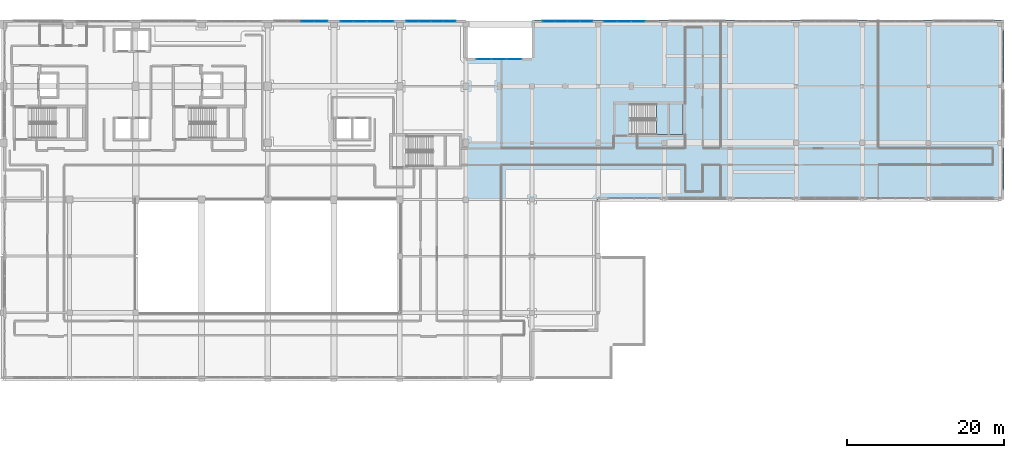
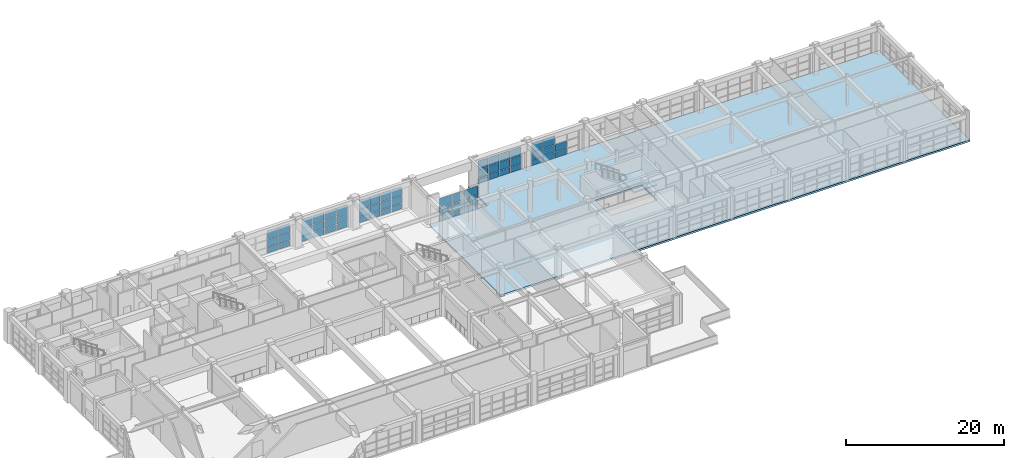
# One storey, part 96 of 123: 59 plates, 2 slabs, 7 elements without a shape of their own.
"""IFC4 building model written with IfcOpenShell, lengths in metres."""

from ifc_helpers import new_model, si_unit, direction, frame, origin, origin_2d, place, context, subcontext, project, spatial, polyline, rectangle, outline, extrude, material, layer, layer_set, type_object, element, aggregate, save


model = new_model("IFC4")

# Units and contexts
model_context = context("Model", 3, precision=1e-05, world=origin(), true_north=direction((0.0, 1.0)))
body_context = subcontext(model_context, "Body", "Model", "MODEL_VIEW")
ifc_project = project(units=[si_unit("LENGTHUNIT", "METRE"), si_unit("AREAUNIT", "SQUARE_METRE"), si_unit("VOLUMEUNIT", "CUBIC_METRE"), si_unit("PLANEANGLEUNIT", "RADIAN"), si_unit("MASSUNIT", "GRAM", prefix="KILO")], contexts=[model_context])

# Site, building, storey
site_placement = place(None, origin())
site = spatial("IfcSite", under=ifc_project, at=site_placement, CompositionType="ELEMENT")
building_placement = place(site_placement, origin())
building = spatial("IfcBuilding", under=site, at=building_placement, Name="Quendrovan Civic Courthouse", CompositionType="ELEMENT")
storey_placement = place(building_placement, frame((0.0, 0.0, 5.39990234375)))
storey = spatial("IfcBuildingStorey", under=building, at=storey_placement, Name="L02", CompositionType="ELEMENT", Elevation=5.39990234375)

# Curtain wall, plates
ifc_material_1 = material(Name="Bronze anodised aluminium and low-E glass", Category="aluminium")
ifc_layer_1 = layer(ifc_material_1, 0.179931640625, Name="Bronze anodised aluminium and low-E glass")
ifc_layer_set_1 = layer_set([ifc_layer_1], Name="Bronze anodised aluminium and low-E glass")
curtain_wall_type_1 = type_object("IfcCurtainWallType", Name="CW-U58x37", PredefinedType="USERDEFINED", material=ifc_layer_set_1)
curtain_wall_1_placement = place(storey_placement, origin())
curtain_wall_1 = element("IfcCurtainWall", 1, at=curtain_wall_1_placement, inside=storey, type_object=curtain_wall_type_1, Name="L02 Unitised Hurricane Curtain Wall CW-088", ObjectType="UNITISED CURTAIN WALL", PredefinedType="USERDEFINED")
ifc_material_2 = material(Name="Laminated hurricane-impact low-E glass", Category="glass")
ifc_layer_2 = layer(ifc_material_2, 0.028076171875, Name="Laminated hurricane-impact low-E glass")
ifc_layer_set_2 = layer_set([ifc_layer_2], Name="Laminated hurricane-impact low-E glass")
plate_type_1 = type_object("IfcPlateType", Name="CW-PNL-1", PredefinedType="CURTAIN_PANEL", material=ifc_layer_set_2)
plate_1_placement = place(storey_placement, frame((94.68408203125, 105.43505859375, 0.0703125), z_axis=(0.0, 0.0, 1.0), x_axis=(1.0, 0.0, 0.0)))
plate_1 = element("IfcPlate", 2, at=plate_1_placement, type_object=plate_type_1, Name="CW-088 panel 1.1", PredefinedType="CURTAIN_PANEL", context=body_context, shape_type="SweptSolid", body=[
    extrude(rectangle(XDim=1.828369140625, YDim=0.028076171875, at=origin_2d()), origin(), (0.0, 0.0, 1.0), 0.844970703125),
])
plate_2_placement = place(storey_placement, frame((94.68408203125, 105.43505859375, 0.985107421875), z_axis=(0.0, 0.0, 1.0), x_axis=(1.0, 0.0, 0.0)))
plate_2 = element("IfcPlate", 3, at=plate_2_placement, type_object=plate_type_1, Name="CW-088 panel 1.2", PredefinedType="CURTAIN_PANEL", context=body_context, shape_type="SweptSolid", body=[
    extrude(rectangle(XDim=1.828369140625, YDim=0.028076171875, at=origin_2d()), origin(), (0.0, 0.0, 1.0), 1.1298828125),
])
plate_3_placement = place(storey_placement, frame((94.68408203125, 105.43505859375, 2.18505859375), z_axis=(0.0, 0.0, 1.0), x_axis=(1.0, 0.0, 0.0)))
plate_3 = element("IfcPlate", 4, at=plate_3_placement, type_object=plate_type_1, Name="CW-088 panel 1.3", PredefinedType="CURTAIN_PANEL", context=body_context, shape_type="SweptSolid", body=[
    extrude(rectangle(XDim=1.828369140625, YDim=0.028076171875, at=origin_2d()), origin(), (0.0, 0.0, 1.0), 1.405029296875),
])
plate_4_placement = place(storey_placement, frame((96.60009765625, 105.43505859375, 0.0703125), z_axis=(0.0, 0.0, 1.0), x_axis=(1.0, 0.0, 0.0)))
plate_4 = element("IfcPlate", 5, at=plate_4_placement, type_object=plate_type_1, Name="CW-088 panel 2.1", PredefinedType="CURTAIN_PANEL", context=body_context, shape_type="SweptSolid", body=[
    extrude(rectangle(XDim=1.86328125, YDim=0.028076171875, at=origin_2d()), origin(), (0.0, 0.0, 1.0), 0.844970703125),
])
plate_5_placement = place(storey_placement, frame((96.60009765625, 105.43505859375, 0.985107421875), z_axis=(0.0, 0.0, 1.0), x_axis=(1.0, 0.0, 0.0)))
plate_5 = element("IfcPlate", 6, at=plate_5_placement, type_object=plate_type_1, Name="CW-088 panel 2.2", PredefinedType="CURTAIN_PANEL", context=body_context, shape_type="SweptSolid", body=[
    extrude(rectangle(XDim=1.86328125, YDim=0.028076171875, at=origin_2d()), origin(), (0.0, 0.0, 1.0), 1.1298828125),
])
plate_6_placement = place(storey_placement, frame((96.60009765625, 105.43505859375, 2.18505859375), z_axis=(0.0, 0.0, 1.0), x_axis=(1.0, 0.0, 0.0)))
plate_6 = element("IfcPlate", 7, at=plate_6_placement, type_object=plate_type_1, Name="CW-088 panel 2.3", PredefinedType="CURTAIN_PANEL", context=body_context, shape_type="SweptSolid", body=[
    extrude(rectangle(XDim=1.86328125, YDim=0.028076171875, at=origin_2d()), origin(), (0.0, 0.0, 1.0), 1.405029296875),
])
plate_7_placement = place(storey_placement, frame((98.515869140625, 105.43505859375, 0.0703125), z_axis=(0.0, 0.0, 1.0), x_axis=(1.0, 0.0, 0.0)))
plate_7 = element("IfcPlate", 8, at=plate_7_placement, type_object=plate_type_1, Name="CW-088 panel 3.1", PredefinedType="CURTAIN_PANEL", context=body_context, shape_type="SweptSolid", body=[
    extrude(rectangle(XDim=1.828369140625, YDim=0.028076171875, at=origin_2d()), origin(), (0.0, 0.0, 1.0), 0.844970703125),
])
plate_8_placement = place(storey_placement, frame((98.515869140625, 105.43505859375, 0.985107421875), z_axis=(0.0, 0.0, 1.0), x_axis=(1.0, 0.0, 0.0)))
plate_8 = element("IfcPlate", 9, at=plate_8_placement, type_object=plate_type_1, Name="CW-088 panel 3.2", PredefinedType="CURTAIN_PANEL", context=body_context, shape_type="SweptSolid", body=[
    extrude(rectangle(XDim=1.828369140625, YDim=0.028076171875, at=origin_2d()), origin(), (0.0, 0.0, 1.0), 1.1298828125),
])
plate_9_placement = place(storey_placement, frame((98.515869140625, 105.43505859375, 2.18505859375), z_axis=(0.0, 0.0, 1.0), x_axis=(1.0, 0.0, 0.0)))
plate_9 = element("IfcPlate", 10, at=plate_9_placement, type_object=plate_type_1, Name="CW-088 panel 3.3", PredefinedType="CURTAIN_PANEL", context=body_context, shape_type="SweptSolid", body=[
    extrude(rectangle(XDim=1.828369140625, YDim=0.028076171875, at=origin_2d()), origin(), (0.0, 0.0, 1.0), 1.405029296875),
])
aggregate(curtain_wall_1, [plate_1, plate_2, plate_3, plate_4, plate_5, plate_6, plate_7, plate_8, plate_9])

ifc_layer_3 = layer(ifc_material_1, 0.179931640625, Name="Bronze anodised aluminium and low-E glass")
ifc_layer_set_3 = layer_set([ifc_layer_3], Name="Bronze anodised aluminium and low-E glass")
curtain_wall_type_2 = type_object("IfcCurtainWallType", Name="CW-U68x36", PredefinedType="USERDEFINED", material=ifc_layer_set_3)
curtain_wall_2_placement = place(storey_placement, origin())
curtain_wall_2 = element("IfcCurtainWall", 11, at=curtain_wall_2_placement, inside=storey, type_object=curtain_wall_type_2, Name="L02 Unitised Hurricane Curtain Wall CW-085", ObjectType="UNITISED CURTAIN WALL", PredefinedType="USERDEFINED")
ifc_layer_4 = layer(ifc_material_2, 0.031982421875, Name="Laminated hurricane-impact low-E glass")
ifc_layer_set_4 = layer_set([ifc_layer_4], Name="Laminated hurricane-impact low-E glass")
plate_type_2 = type_object("IfcPlateType", Name="CW-PNL-2", PredefinedType="CURTAIN_PANEL", material=ifc_layer_set_4)
plate_10_placement = place(storey_placement, frame((72.25927734375, 110.235107421875, 0.065185546875), z_axis=(0.0, 0.0, 1.0), x_axis=(1.0, 0.0, 0.0)))
plate_10 = element("IfcPlate", 12, at=plate_10_placement, type_object=plate_type_2, Name="CW-085 panel 3.1", PredefinedType="CURTAIN_PANEL", context=body_context, shape_type="SweptSolid", body=[
    extrude(rectangle(XDim=1.628662109375, YDim=0.031982421875, at=origin_2d()), origin(), (0.0, 0.0, 1.0), 0.8525390625),
])
plate_11_placement = place(storey_placement, frame((72.25927734375, 110.235107421875, 0.982421875), z_axis=(0.0, 0.0, 1.0), x_axis=(1.0, 0.0, 0.0)))
plate_11 = element("IfcPlate", 13, at=plate_11_placement, type_object=plate_type_2, Name="CW-085 panel 3.2", PredefinedType="CURTAIN_PANEL", context=body_context, shape_type="SweptSolid", body=[
    extrude(rectangle(XDim=1.628662109375, YDim=0.031982421875, at=origin_2d()), origin(), (0.0, 0.0, 1.0), 1.135009765625),
])
plate_12_placement = place(storey_placement, frame((72.25927734375, 110.235107421875, 2.1826171875), z_axis=(0.0, 0.0, 1.0), x_axis=(1.0, 0.0, 0.0)))
plate_12 = element("IfcPlate", 14, at=plate_12_placement, type_object=plate_type_2, Name="CW-085 panel 3.3", PredefinedType="CURTAIN_PANEL", context=body_context, shape_type="SweptSolid", body=[
    extrude(rectangle(XDim=1.628662109375, YDim=0.031982421875, at=origin_2d()), origin(), (0.0, 0.0, 1.0), 1.3525390625),
])
plate_13_placement = place(storey_placement, frame((73.936767578125, 110.235107421875, 0.065185546875), z_axis=(0.0, 0.0, 1.0), x_axis=(1.0, 0.0, 0.0)))
plate_13 = element("IfcPlate", 15, at=plate_13_placement, type_object=plate_type_2, Name="CW-085 panel 4.1", PredefinedType="CURTAIN_PANEL", context=body_context, shape_type="SweptSolid", body=[
    extrude(rectangle(XDim=1.59619140625, YDim=0.031982421875, at=origin_2d()), origin(), (0.0, 0.0, 1.0), 0.8525390625),
])
plate_14_placement = place(storey_placement, frame((73.936767578125, 110.235107421875, 0.982421875), z_axis=(0.0, 0.0, 1.0), x_axis=(1.0, 0.0, 0.0)))
plate_14 = element("IfcPlate", 16, at=plate_14_placement, type_object=plate_type_2, Name="CW-085 panel 4.2", PredefinedType="CURTAIN_PANEL", context=body_context, shape_type="SweptSolid", body=[
    extrude(rectangle(XDim=1.59619140625, YDim=0.031982421875, at=origin_2d()), origin(), (0.0, 0.0, 1.0), 1.135009765625),
])
plate_15_placement = place(storey_placement, frame((73.936767578125, 110.235107421875, 2.1826171875), z_axis=(0.0, 0.0, 1.0), x_axis=(1.0, 0.0, 0.0)))
plate_15 = element("IfcPlate", 17, at=plate_15_placement, type_object=plate_type_2, Name="CW-085 panel 4.3", PredefinedType="CURTAIN_PANEL", context=body_context, shape_type="SweptSolid", body=[
    extrude(rectangle(XDim=1.59619140625, YDim=0.031982421875, at=origin_2d()), origin(), (0.0, 0.0, 1.0), 1.3525390625),
])
aggregate(curtain_wall_2, [plate_10, plate_11, plate_12, plate_13, plate_14, plate_15])

ifc_layer_5 = layer(ifc_material_1, 0.179931640625, Name="Bronze anodised aluminium and low-E glass")
ifc_layer_set_5 = layer_set([ifc_layer_5], Name="Bronze anodised aluminium and low-E glass")
curtain_wall_type_3 = type_object("IfcCurtainWallType", Name="CW-U64x36", PredefinedType="USERDEFINED", material=ifc_layer_set_5)
curtain_wall_3_placement = place(storey_placement, origin())
curtain_wall_3 = element("IfcCurtainWall", 18, at=curtain_wall_3_placement, inside=storey, type_object=curtain_wall_type_3, Name="L02 Unitised Hurricane Curtain Wall CW-089", ObjectType="UNITISED CURTAIN WALL", PredefinedType="USERDEFINED")
plate_16_placement = place(storey_placement, frame((102.916259765625, 110.235107421875, 0.065185546875), z_axis=(0.0, 0.0, 1.0), x_axis=(1.0, 0.0, 0.0)))
plate_16 = element("IfcPlate", 19, at=plate_16_placement, type_object=plate_type_2, Name="CW-089 panel 1.1", PredefinedType="CURTAIN_PANEL", context=body_context, shape_type="SweptSolid", body=[
    extrude(rectangle(XDim=1.50244140625, YDim=0.031982421875, at=origin_2d()), origin(), (0.0, 0.0, 1.0), 0.8525390625),
])
plate_17_placement = place(storey_placement, frame((102.916259765625, 110.235107421875, 0.982421875), z_axis=(0.0, 0.0, 1.0), x_axis=(1.0, 0.0, 0.0)))
plate_17 = element("IfcPlate", 20, at=plate_17_placement, type_object=plate_type_2, Name="CW-089 panel 1.2", PredefinedType="CURTAIN_PANEL", context=body_context, shape_type="SweptSolid", body=[
    extrude(rectangle(XDim=1.50244140625, YDim=0.031982421875, at=origin_2d()), origin(), (0.0, 0.0, 1.0), 1.135009765625),
])
plate_18_placement = place(storey_placement, frame((102.916259765625, 110.235107421875, 2.1826171875), z_axis=(0.0, 0.0, 1.0), x_axis=(1.0, 0.0, 0.0)))
plate_18 = element("IfcPlate", 21, at=plate_18_placement, type_object=plate_type_2, Name="CW-089 panel 1.3", PredefinedType="CURTAIN_PANEL", context=body_context, shape_type="SweptSolid", body=[
    extrude(rectangle(XDim=1.50244140625, YDim=0.031982421875, at=origin_2d()), origin(), (0.0, 0.0, 1.0), 1.3525390625),
])
plate_19_placement = place(storey_placement, frame((104.5, 110.235107421875, 0.065185546875), z_axis=(0.0, 0.0, 1.0), x_axis=(1.0, 0.0, 0.0)))
plate_19 = element("IfcPlate", 22, at=plate_19_placement, type_object=plate_type_2, Name="CW-089 panel 2.1", PredefinedType="CURTAIN_PANEL", context=body_context, shape_type="SweptSolid", body=[
    extrude(rectangle(XDim=1.534912109375, YDim=0.031982421875, at=origin_2d()), origin(), (0.0, 0.0, 1.0), 0.8525390625),
])
plate_20_placement = place(storey_placement, frame((104.5, 110.235107421875, 0.982421875), z_axis=(0.0, 0.0, 1.0), x_axis=(1.0, 0.0, 0.0)))
plate_20 = element("IfcPlate", 23, at=plate_20_placement, type_object=plate_type_2, Name="CW-089 panel 2.2", PredefinedType="CURTAIN_PANEL", context=body_context, shape_type="SweptSolid", body=[
    extrude(rectangle(XDim=1.534912109375, YDim=0.031982421875, at=origin_2d()), origin(), (0.0, 0.0, 1.0), 1.135009765625),
])
plate_21_placement = place(storey_placement, frame((104.5, 110.235107421875, 2.1826171875), z_axis=(0.0, 0.0, 1.0), x_axis=(1.0, 0.0, 0.0)))
plate_21 = element("IfcPlate", 24, at=plate_21_placement, type_object=plate_type_2, Name="CW-089 panel 2.3", PredefinedType="CURTAIN_PANEL", context=body_context, shape_type="SweptSolid", body=[
    extrude(rectangle(XDim=1.534912109375, YDim=0.031982421875, at=origin_2d()), origin(), (0.0, 0.0, 1.0), 1.3525390625),
])
plate_22_placement = place(storey_placement, frame((106.10009765625, 110.235107421875, 0.065185546875), z_axis=(0.0, 0.0, 1.0), x_axis=(1.0, 0.0, 0.0)))
plate_22 = element("IfcPlate", 25, at=plate_22_placement, type_object=plate_type_2, Name="CW-089 panel 3.1", PredefinedType="CURTAIN_PANEL", context=body_context, shape_type="SweptSolid", body=[
    extrude(rectangle(XDim=1.534912109375, YDim=0.031982421875, at=origin_2d()), origin(), (0.0, 0.0, 1.0), 0.8525390625),
])
plate_23_placement = place(storey_placement, frame((106.10009765625, 110.235107421875, 0.982421875), z_axis=(0.0, 0.0, 1.0), x_axis=(1.0, 0.0, 0.0)))
plate_23 = element("IfcPlate", 26, at=plate_23_placement, type_object=plate_type_2, Name="CW-089 panel 3.2", PredefinedType="CURTAIN_PANEL", context=body_context, shape_type="SweptSolid", body=[
    extrude(rectangle(XDim=1.534912109375, YDim=0.031982421875, at=origin_2d()), origin(), (0.0, 0.0, 1.0), 1.135009765625),
])
plate_24_placement = place(storey_placement, frame((106.10009765625, 110.235107421875, 2.1826171875), z_axis=(0.0, 0.0, 1.0), x_axis=(1.0, 0.0, 0.0)))
plate_24 = element("IfcPlate", 27, at=plate_24_placement, type_object=plate_type_2, Name="CW-089 panel 3.3", PredefinedType="CURTAIN_PANEL", context=body_context, shape_type="SweptSolid", body=[
    extrude(rectangle(XDim=1.534912109375, YDim=0.031982421875, at=origin_2d()), origin(), (0.0, 0.0, 1.0), 1.3525390625),
])
plate_25_placement = place(storey_placement, frame((107.683837890625, 110.235107421875, 0.065185546875), z_axis=(0.0, 0.0, 1.0), x_axis=(1.0, 0.0, 0.0)))
plate_25 = element("IfcPlate", 28, at=plate_25_placement, type_object=plate_type_2, Name="CW-089 panel 4.1", PredefinedType="CURTAIN_PANEL", context=body_context, shape_type="SweptSolid", body=[
    extrude(rectangle(XDim=1.50244140625, YDim=0.031982421875, at=origin_2d()), origin(), (0.0, 0.0, 1.0), 0.8525390625),
])
plate_26_placement = place(storey_placement, frame((107.683837890625, 110.235107421875, 0.982421875), z_axis=(0.0, 0.0, 1.0), x_axis=(1.0, 0.0, 0.0)))
plate_26 = element("IfcPlate", 29, at=plate_26_placement, type_object=plate_type_2, Name="CW-089 panel 4.2", PredefinedType="CURTAIN_PANEL", context=body_context, shape_type="SweptSolid", body=[
    extrude(rectangle(XDim=1.50244140625, YDim=0.031982421875, at=origin_2d()), origin(), (0.0, 0.0, 1.0), 1.135009765625),
])
plate_27_placement = place(storey_placement, frame((107.683837890625, 110.235107421875, 2.1826171875), z_axis=(0.0, 0.0, 1.0), x_axis=(1.0, 0.0, 0.0)))
plate_27 = element("IfcPlate", 30, at=plate_27_placement, type_object=plate_type_2, Name="CW-089 panel 4.3", PredefinedType="CURTAIN_PANEL", context=body_context, shape_type="SweptSolid", body=[
    extrude(rectangle(XDim=1.50244140625, YDim=0.031982421875, at=origin_2d()), origin(), (0.0, 0.0, 1.0), 1.3525390625),
])
aggregate(curtain_wall_3, [plate_16, plate_17, plate_18, plate_19, plate_20, plate_21, plate_22, plate_23, plate_24, plate_25, plate_26, plate_27])

curtain_wall_4_placement = place(storey_placement, origin())
curtain_wall_4 = element("IfcCurtainWall", 31, at=curtain_wall_4_placement, inside=storey, type_object=curtain_wall_type_2, Name="L02 Unitised Hurricane Curtain Wall CW-086", ObjectType="UNITISED CURTAIN WALL", PredefinedType="USERDEFINED")
ifc_layer_6 = layer(ifc_material_2, 0.035888671875, Name="Laminated hurricane-impact low-E glass")
ifc_layer_set_6 = layer_set([ifc_layer_6], Name="Laminated hurricane-impact low-E glass")
plate_type_3 = type_object("IfcPlateType", Name="CW-PNL-3", PredefinedType="CURTAIN_PANEL", material=ifc_layer_set_6)
plate_28_placement = place(storey_placement, frame((77.267578125, 110.235107421875, 0.0703125), z_axis=(0.0, 0.0, 1.0), x_axis=(1.0, 0.0, 0.0)))
plate_28 = element("IfcPlate", 32, at=plate_28_placement, type_object=plate_type_3, Name="CW-086 panel 1.1", PredefinedType="CURTAIN_PANEL", context=body_context, shape_type="SweptSolid", body=[
    extrude(rectangle(XDim=1.594970703125, YDim=0.035888671875, at=origin_2d()), origin(), (0.0, 0.0, 1.0), 0.844970703125),
])
plate_29_placement = place(storey_placement, frame((77.267578125, 110.235107421875, 0.985107421875), z_axis=(0.0, 0.0, 1.0), x_axis=(1.0, 0.0, 0.0)))
plate_29 = element("IfcPlate", 33, at=plate_29_placement, type_object=plate_type_3, Name="CW-086 panel 1.2", PredefinedType="CURTAIN_PANEL", context=body_context, shape_type="SweptSolid", body=[
    extrude(rectangle(XDim=1.594970703125, YDim=0.035888671875, at=origin_2d()), origin(), (0.0, 0.0, 1.0), 1.1298828125),
])
plate_30_placement = place(storey_placement, frame((77.267578125, 110.235107421875, 2.18505859375), z_axis=(0.0, 0.0, 1.0), x_axis=(1.0, 0.0, 0.0)))
plate_30 = element("IfcPlate", 34, at=plate_30_placement, type_object=plate_type_3, Name="CW-086 panel 1.3", PredefinedType="CURTAIN_PANEL", context=body_context, shape_type="SweptSolid", body=[
    extrude(rectangle(XDim=1.594970703125, YDim=0.035888671875, at=origin_2d()), origin(), (0.0, 0.0, 1.0), 1.344970703125),
])
plate_31_placement = place(storey_placement, frame((78.949951171875, 110.235107421875, 0.0703125), z_axis=(0.0, 0.0, 1.0), x_axis=(1.0, 0.0, 0.0)))
plate_31 = element("IfcPlate", 35, at=plate_31_placement, type_object=plate_type_3, Name="CW-086 panel 2.1", PredefinedType="CURTAIN_PANEL", context=body_context, shape_type="SweptSolid", body=[
    extrude(rectangle(XDim=1.6298828125, YDim=0.035888671875, at=origin_2d()), origin(), (0.0, 0.0, 1.0), 0.844970703125),
])
plate_32_placement = place(storey_placement, frame((78.949951171875, 110.235107421875, 0.985107421875), z_axis=(0.0, 0.0, 1.0), x_axis=(1.0, 0.0, 0.0)))
plate_32 = element("IfcPlate", 36, at=plate_32_placement, type_object=plate_type_3, Name="CW-086 panel 2.2", PredefinedType="CURTAIN_PANEL", context=body_context, shape_type="SweptSolid", body=[
    extrude(rectangle(XDim=1.6298828125, YDim=0.035888671875, at=origin_2d()), origin(), (0.0, 0.0, 1.0), 1.1298828125),
])
plate_33_placement = place(storey_placement, frame((78.949951171875, 110.235107421875, 2.18505859375), z_axis=(0.0, 0.0, 1.0), x_axis=(1.0, 0.0, 0.0)))
plate_33 = element("IfcPlate", 37, at=plate_33_placement, type_object=plate_type_3, Name="CW-086 panel 2.3", PredefinedType="CURTAIN_PANEL", context=body_context, shape_type="SweptSolid", body=[
    extrude(rectangle(XDim=1.6298828125, YDim=0.035888671875, at=origin_2d()), origin(), (0.0, 0.0, 1.0), 1.344970703125),
])
plate_34_placement = place(storey_placement, frame((80.64990234375, 110.235107421875, 0.0703125), z_axis=(0.0, 0.0, 1.0), x_axis=(1.0, 0.0, 0.0)))
plate_34 = element("IfcPlate", 38, at=plate_34_placement, type_object=plate_type_3, Name="CW-086 panel 3.1", PredefinedType="CURTAIN_PANEL", context=body_context, shape_type="SweptSolid", body=[
    extrude(rectangle(XDim=1.6298828125, YDim=0.035888671875, at=origin_2d()), origin(), (0.0, 0.0, 1.0), 0.844970703125),
])
plate_35_placement = place(storey_placement, frame((80.64990234375, 110.235107421875, 0.985107421875), z_axis=(0.0, 0.0, 1.0), x_axis=(1.0, 0.0, 0.0)))
plate_35 = element("IfcPlate", 39, at=plate_35_placement, type_object=plate_type_3, Name="CW-086 panel 3.2", PredefinedType="CURTAIN_PANEL", context=body_context, shape_type="SweptSolid", body=[
    extrude(rectangle(XDim=1.6298828125, YDim=0.035888671875, at=origin_2d()), origin(), (0.0, 0.0, 1.0), 1.1298828125),
])
plate_36_placement = place(storey_placement, frame((80.64990234375, 110.235107421875, 2.18505859375), z_axis=(0.0, 0.0, 1.0), x_axis=(1.0, 0.0, 0.0)))
plate_36 = element("IfcPlate", 40, at=plate_36_placement, type_object=plate_type_3, Name="CW-086 panel 3.3", PredefinedType="CURTAIN_PANEL", context=body_context, shape_type="SweptSolid", body=[
    extrude(rectangle(XDim=1.6298828125, YDim=0.035888671875, at=origin_2d()), origin(), (0.0, 0.0, 1.0), 1.344970703125),
])
plate_37_placement = place(storey_placement, frame((82.33251953125, 110.235107421875, 0.0703125), z_axis=(0.0, 0.0, 1.0), x_axis=(1.0, 0.0, 0.0)))
plate_37 = element("IfcPlate", 41, at=plate_37_placement, type_object=plate_type_3, Name="CW-086 panel 4.1", PredefinedType="CURTAIN_PANEL", context=body_context, shape_type="SweptSolid", body=[
    extrude(rectangle(XDim=1.594970703125, YDim=0.035888671875, at=origin_2d()), origin(), (0.0, 0.0, 1.0), 0.844970703125),
])
plate_38_placement = place(storey_placement, frame((82.33251953125, 110.235107421875, 0.985107421875), z_axis=(0.0, 0.0, 1.0), x_axis=(1.0, 0.0, 0.0)))
plate_38 = element("IfcPlate", 42, at=plate_38_placement, type_object=plate_type_3, Name="CW-086 panel 4.2", PredefinedType="CURTAIN_PANEL", context=body_context, shape_type="SweptSolid", body=[
    extrude(rectangle(XDim=1.594970703125, YDim=0.035888671875, at=origin_2d()), origin(), (0.0, 0.0, 1.0), 1.1298828125),
])
plate_39_placement = place(storey_placement, frame((82.33251953125, 110.235107421875, 2.18505859375), z_axis=(0.0, 0.0, 1.0), x_axis=(1.0, 0.0, 0.0)))
plate_39 = element("IfcPlate", 43, at=plate_39_placement, type_object=plate_type_3, Name="CW-086 panel 4.3", PredefinedType="CURTAIN_PANEL", context=body_context, shape_type="SweptSolid", body=[
    extrude(rectangle(XDim=1.594970703125, YDim=0.035888671875, at=origin_2d()), origin(), (0.0, 0.0, 1.0), 1.344970703125),
])
aggregate(curtain_wall_4, [plate_28, plate_29, plate_30, plate_31, plate_32, plate_33, plate_34, plate_35, plate_36, plate_37, plate_38, plate_39])

ifc_layer_7 = layer(ifc_material_1, 0.179931640625, Name="Bronze anodised aluminium and low-E glass")
ifc_layer_set_7 = layer_set([ifc_layer_7], Name="Bronze anodised aluminium and low-E glass")
curtain_wall_type_4 = type_object("IfcCurtainWallType", Name="CW-U70x36", PredefinedType="USERDEFINED", material=ifc_layer_set_7)
curtain_wall_5_placement = place(storey_placement, origin())
curtain_wall_5 = element("IfcCurtainWall", 44, at=curtain_wall_5_placement, inside=storey, type_object=curtain_wall_type_4, Name="L02 Unitised Hurricane Curtain Wall CW-090", ObjectType="UNITISED CURTAIN WALL", PredefinedType="USERDEFINED")
plate_40_placement = place(storey_placement, frame((110.79248046875, 110.235107421875, 0.0703125), z_axis=(0.0, 0.0, 1.0), x_axis=(1.0, 0.0, 0.0)))
plate_40 = element("IfcPlate", 45, at=plate_40_placement, type_object=plate_type_3, Name="CW-090 panel 1.1", PredefinedType="CURTAIN_PANEL", context=body_context, shape_type="SweptSolid", body=[
    extrude(rectangle(XDim=1.64501953125, YDim=0.035888671875, at=origin_2d()), origin(), (0.0, 0.0, 1.0), 0.844970703125),
])
plate_41_placement = place(storey_placement, frame((110.79248046875, 110.235107421875, 0.985107421875), z_axis=(0.0, 0.0, 1.0), x_axis=(1.0, 0.0, 0.0)))
plate_41 = element("IfcPlate", 46, at=plate_41_placement, type_object=plate_type_3, Name="CW-090 panel 1.2", PredefinedType="CURTAIN_PANEL", context=body_context, shape_type="SweptSolid", body=[
    extrude(rectangle(XDim=1.64501953125, YDim=0.035888671875, at=origin_2d()), origin(), (0.0, 0.0, 1.0), 1.1298828125),
])
plate_42_placement = place(storey_placement, frame((110.79248046875, 110.235107421875, 2.18505859375), z_axis=(0.0, 0.0, 1.0), x_axis=(1.0, 0.0, 0.0)))
plate_42 = element("IfcPlate", 47, at=plate_42_placement, type_object=plate_type_3, Name="CW-090 panel 1.3", PredefinedType="CURTAIN_PANEL", context=body_context, shape_type="SweptSolid", body=[
    extrude(rectangle(XDim=1.64501953125, YDim=0.035888671875, at=origin_2d()), origin(), (0.0, 0.0, 1.0), 1.344970703125),
])
plate_43_placement = place(storey_placement, frame((112.52490234375, 110.235107421875, 0.0703125), z_axis=(0.0, 0.0, 1.0), x_axis=(1.0, 0.0, 0.0)))
plate_43 = element("IfcPlate", 48, at=plate_43_placement, type_object=plate_type_3, Name="CW-090 panel 2.1", PredefinedType="CURTAIN_PANEL", context=body_context, shape_type="SweptSolid", body=[
    extrude(rectangle(XDim=1.679931640625, YDim=0.035888671875, at=origin_2d()), origin(), (0.0, 0.0, 1.0), 0.844970703125),
])
plate_44_placement = place(storey_placement, frame((112.52490234375, 110.235107421875, 0.985107421875), z_axis=(0.0, 0.0, 1.0), x_axis=(1.0, 0.0, 0.0)))
plate_44 = element("IfcPlate", 49, at=plate_44_placement, type_object=plate_type_3, Name="CW-090 panel 2.2", PredefinedType="CURTAIN_PANEL", context=body_context, shape_type="SweptSolid", body=[
    extrude(rectangle(XDim=1.679931640625, YDim=0.035888671875, at=origin_2d()), origin(), (0.0, 0.0, 1.0), 1.1298828125),
])
plate_45_placement = place(storey_placement, frame((112.52490234375, 110.235107421875, 2.18505859375), z_axis=(0.0, 0.0, 1.0), x_axis=(1.0, 0.0, 0.0)))
plate_45 = element("IfcPlate", 50, at=plate_45_placement, type_object=plate_type_3, Name="CW-090 panel 2.3", PredefinedType="CURTAIN_PANEL", context=body_context, shape_type="SweptSolid", body=[
    extrude(rectangle(XDim=1.679931640625, YDim=0.035888671875, at=origin_2d()), origin(), (0.0, 0.0, 1.0), 1.344970703125),
])
plate_46_placement = place(storey_placement, frame((114.27490234375, 110.235107421875, 0.0703125), z_axis=(0.0, 0.0, 1.0), x_axis=(1.0, 0.0, 0.0)))
plate_46 = element("IfcPlate", 51, at=plate_46_placement, type_object=plate_type_3, Name="CW-090 panel 3.1", PredefinedType="CURTAIN_PANEL", context=body_context, shape_type="SweptSolid", body=[
    extrude(rectangle(XDim=1.679931640625, YDim=0.035888671875, at=origin_2d()), origin(), (0.0, 0.0, 1.0), 0.844970703125),
])
plate_47_placement = place(storey_placement, frame((114.27490234375, 110.235107421875, 0.985107421875), z_axis=(0.0, 0.0, 1.0), x_axis=(1.0, 0.0, 0.0)))
plate_47 = element("IfcPlate", 52, at=plate_47_placement, type_object=plate_type_3, Name="CW-090 panel 3.2", PredefinedType="CURTAIN_PANEL", context=body_context, shape_type="SweptSolid", body=[
    extrude(rectangle(XDim=1.679931640625, YDim=0.035888671875, at=origin_2d()), origin(), (0.0, 0.0, 1.0), 1.1298828125),
])
aggregate(curtain_wall_5, [plate_40, plate_41, plate_42, plate_43, plate_44, plate_45, plate_46, plate_47])

ifc_layer_8 = layer(ifc_material_1, 0.179931640625, Name="Bronze anodised aluminium and low-E glass")
ifc_layer_set_8 = layer_set([ifc_layer_8], Name="Bronze anodised aluminium and low-E glass")
curtain_wall_type_5 = type_object("IfcCurtainWallType", Name="CW-U63x36", PredefinedType="USERDEFINED", material=ifc_layer_set_8)
curtain_wall_6_placement = place(storey_placement, origin())
curtain_wall_6 = element("IfcCurtainWall", 53, at=curtain_wall_6_placement, inside=storey, type_object=curtain_wall_type_5, Name="L02 Unitised Hurricane Curtain Wall CW-087", ObjectType="UNITISED CURTAIN WALL", PredefinedType="USERDEFINED")
ifc_layer_9 = layer(ifc_material_2, 0.0419921875, Name="Laminated hurricane-impact low-E glass")
ifc_layer_set_9 = layer_set([ifc_layer_9], Name="Laminated hurricane-impact low-E glass")
plate_type_4 = type_object("IfcPlateType", Name="CW-PNL-4", PredefinedType="CURTAIN_PANEL", material=ifc_layer_set_9)
plate_48_placement = place(storey_placement, frame((85.603759765625, 110.235107421875, 0.065185546875), z_axis=(0.0, 0.0, 1.0), x_axis=(1.0, 0.0, 0.0)))
plate_48 = element("IfcPlate", 54, at=plate_48_placement, type_object=plate_type_4, Name="CW-087 panel 1.1", PredefinedType="CURTAIN_PANEL", context=body_context, shape_type="SweptSolid", body=[
    extrude(rectangle(XDim=1.4775390625, YDim=0.0419921875, at=origin_2d()), origin(), (0.0, 0.0, 1.0), 0.8525390625),
])
plate_49_placement = place(storey_placement, frame((85.603759765625, 110.235107421875, 0.982421875), z_axis=(0.0, 0.0, 1.0), x_axis=(1.0, 0.0, 0.0)))
plate_49 = element("IfcPlate", 55, at=plate_49_placement, type_object=plate_type_4, Name="CW-087 panel 1.2", PredefinedType="CURTAIN_PANEL", context=body_context, shape_type="SweptSolid", body=[
    extrude(rectangle(XDim=1.4775390625, YDim=0.0419921875, at=origin_2d()), origin(), (0.0, 0.0, 1.0), 1.135009765625),
])
plate_50_placement = place(storey_placement, frame((85.603759765625, 110.235107421875, 2.1826171875), z_axis=(0.0, 0.0, 1.0), x_axis=(1.0, 0.0, 0.0)))
plate_50 = element("IfcPlate", 56, at=plate_50_placement, type_object=plate_type_4, Name="CW-087 panel 1.3", PredefinedType="CURTAIN_PANEL", context=body_context, shape_type="SweptSolid", body=[
    extrude(rectangle(XDim=1.4775390625, YDim=0.0419921875, at=origin_2d()), origin(), (0.0, 0.0, 1.0), 1.3525390625),
])
plate_51_placement = place(storey_placement, frame((87.16259765625, 110.235107421875, 0.065185546875), z_axis=(0.0, 0.0, 1.0), x_axis=(1.0, 0.0, 0.0)))
plate_51 = element("IfcPlate", 57, at=plate_51_placement, type_object=plate_type_4, Name="CW-087 panel 2.1", PredefinedType="CURTAIN_PANEL", context=body_context, shape_type="SweptSolid", body=[
    extrude(rectangle(XDim=1.510009765625, YDim=0.0419921875, at=origin_2d()), origin(), (0.0, 0.0, 1.0), 0.8525390625),
])
plate_52_placement = place(storey_placement, frame((87.16259765625, 110.235107421875, 0.982421875), z_axis=(0.0, 0.0, 1.0), x_axis=(1.0, 0.0, 0.0)))
plate_52 = element("IfcPlate", 58, at=plate_52_placement, type_object=plate_type_4, Name="CW-087 panel 2.2", PredefinedType="CURTAIN_PANEL", context=body_context, shape_type="SweptSolid", body=[
    extrude(rectangle(XDim=1.510009765625, YDim=0.0419921875, at=origin_2d()), origin(), (0.0, 0.0, 1.0), 1.135009765625),
])
plate_53_placement = place(storey_placement, frame((87.16259765625, 110.235107421875, 2.1826171875), z_axis=(0.0, 0.0, 1.0), x_axis=(1.0, 0.0, 0.0)))
plate_53 = element("IfcPlate", 59, at=plate_53_placement, type_object=plate_type_4, Name="CW-087 panel 2.3", PredefinedType="CURTAIN_PANEL", context=body_context, shape_type="SweptSolid", body=[
    extrude(rectangle(XDim=1.510009765625, YDim=0.0419921875, at=origin_2d()), origin(), (0.0, 0.0, 1.0), 1.3525390625),
])
plate_54_placement = place(storey_placement, frame((88.737548828125, 110.235107421875, 0.065185546875), z_axis=(0.0, 0.0, 1.0), x_axis=(1.0, 0.0, 0.0)))
plate_54 = element("IfcPlate", 60, at=plate_54_placement, type_object=plate_type_4, Name="CW-087 panel 3.1", PredefinedType="CURTAIN_PANEL", context=body_context, shape_type="SweptSolid", body=[
    extrude(rectangle(XDim=1.510009765625, YDim=0.0419921875, at=origin_2d()), origin(), (0.0, 0.0, 1.0), 0.8525390625),
])
plate_55_placement = place(storey_placement, frame((88.737548828125, 110.235107421875, 0.982421875), z_axis=(0.0, 0.0, 1.0), x_axis=(1.0, 0.0, 0.0)))
plate_55 = element("IfcPlate", 61, at=plate_55_placement, type_object=plate_type_4, Name="CW-087 panel 3.2", PredefinedType="CURTAIN_PANEL", context=body_context, shape_type="SweptSolid", body=[
    extrude(rectangle(XDim=1.510009765625, YDim=0.0419921875, at=origin_2d()), origin(), (0.0, 0.0, 1.0), 1.135009765625),
])
plate_56_placement = place(storey_placement, frame((88.737548828125, 110.235107421875, 2.1826171875), z_axis=(0.0, 0.0, 1.0), x_axis=(1.0, 0.0, 0.0)))
plate_56 = element("IfcPlate", 62, at=plate_56_placement, type_object=plate_type_4, Name="CW-087 panel 3.3", PredefinedType="CURTAIN_PANEL", context=body_context, shape_type="SweptSolid", body=[
    extrude(rectangle(XDim=1.510009765625, YDim=0.0419921875, at=origin_2d()), origin(), (0.0, 0.0, 1.0), 1.3525390625),
])
plate_57_placement = place(storey_placement, frame((90.296142578125, 110.235107421875, 0.065185546875), z_axis=(0.0, 0.0, 1.0), x_axis=(1.0, 0.0, 0.0)))
plate_57 = element("IfcPlate", 63, at=plate_57_placement, type_object=plate_type_4, Name="CW-087 panel 4.1", PredefinedType="CURTAIN_PANEL", context=body_context, shape_type="SweptSolid", body=[
    extrude(rectangle(XDim=1.4775390625, YDim=0.0419921875, at=origin_2d()), origin(), (0.0, 0.0, 1.0), 0.8525390625),
])
plate_58_placement = place(storey_placement, frame((90.296142578125, 110.235107421875, 0.982421875), z_axis=(0.0, 0.0, 1.0), x_axis=(1.0, 0.0, 0.0)))
plate_58 = element("IfcPlate", 64, at=plate_58_placement, type_object=plate_type_4, Name="CW-087 panel 4.2", PredefinedType="CURTAIN_PANEL", context=body_context, shape_type="SweptSolid", body=[
    extrude(rectangle(XDim=1.4775390625, YDim=0.0419921875, at=origin_2d()), origin(), (0.0, 0.0, 1.0), 1.135009765625),
])
plate_59_placement = place(storey_placement, frame((90.296142578125, 110.235107421875, 2.1826171875), z_axis=(0.0, 0.0, 1.0), x_axis=(1.0, 0.0, 0.0)))
plate_59 = element("IfcPlate", 65, at=plate_59_placement, type_object=plate_type_4, Name="CW-087 panel 4.3", PredefinedType="CURTAIN_PANEL", context=body_context, shape_type="SweptSolid", body=[
    extrude(rectangle(XDim=1.4775390625, YDim=0.0419921875, at=origin_2d()), origin(), (0.0, 0.0, 1.0), 1.3525390625),
])
aggregate(curtain_wall_6, [plate_48, plate_49, plate_50, plate_51, plate_52, plate_53, plate_54, plate_55, plate_56, plate_57, plate_58, plate_59])

# Slab
ifc_material_3 = material(Name="Post-tensioned concrete C50/60", Category="concrete")
ifc_layer_10 = layer(ifc_material_3, 0.280029296875, Name="Post-tensioned concrete C50/60")
ifc_layer_set_10 = layer_set([ifc_layer_10], Name="Post-tensioned concrete C50/60")
slab_type_1 = type_object("IfcSlabType", Name="SLB-PT-280", PredefinedType="FLOOR", material=ifc_layer_set_10)
slab_1_placement = place(storey_placement, frame((0.0, 0.0, -0.27978515625)))
element("IfcSlab", 66, at=slab_1_placement, inside=storey, type_object=slab_type_1, Name="L02 Structural Floor Slab V1E", PredefinedType="FLOOR", context=body_context, shape_type="SweptSolid", body=[
    extrude(outline(polyline([(160.800048828125, 87.60009765625), (92.39990234375, 87.60009765625), (92.39990234375, 105.60009765625), (100.800048828125, 105.60009765625), (100.800048828125, 110.39990234375), (160.800048828125, 110.39990234375), (160.800048828125, 87.60009765625)]), holes=[polyline([(120.0, 95.85009765625), (120.0, 99.72998046875), (113.25, 99.72998046875), (113.25, 95.85009765625), (120.0, 95.85009765625)])]), origin(), (0.0, 0.0, 1.0), 0.27978515625),
])

# Stair, slab
ifc_material_4 = material(Name="Concrete C40/50", Category="concrete")
stair_type = type_object("IfcStairType", Name="STR-CORE-4800", PredefinedType="HALF_TURN_STAIR", material=ifc_material_4)
stair_placement = place(storey_placement, origin())
stair = element("IfcStair", 67, at=stair_placement, inside=storey, type_object=stair_type, Name="L02 Ceremonial Pavilion Exit Stair 6", PredefinedType="HALF_TURN_STAIR")
ifc_layer_11 = layer(ifc_material_4, 0.199951171875, Name="Concrete C40/50")
ifc_layer_set_11 = layer_set([ifc_layer_11], Name="Concrete C40/50")
slab_type_2 = type_object("IfcSlabType", Name="SLB-STAIR-LND200", PredefinedType="LANDING", material=ifc_layer_set_11)
slab_2_placement = place(storey_placement, frame((0.0, 0.0, 2.2001953125)))
slab_2 = element("IfcSlab", 68, at=slab_2_placement, type_object=slab_type_2, Name="ST6 landing 1", PredefinedType="LANDING", context=body_context, shape_type="SweptSolid", body=[
    extrude(outline(polyline([(116.610107421875, 95.85009765625), (120.0, 95.85009765625), (120.0, 99.72998046875), (116.610107421875, 99.72998046875), (116.610107421875, 95.85009765625)])), origin(), (0.0, 0.0, 1.0), 0.199951171875),
])
aggregate(stair, [slab_2])

save(model, "model.ifc")
